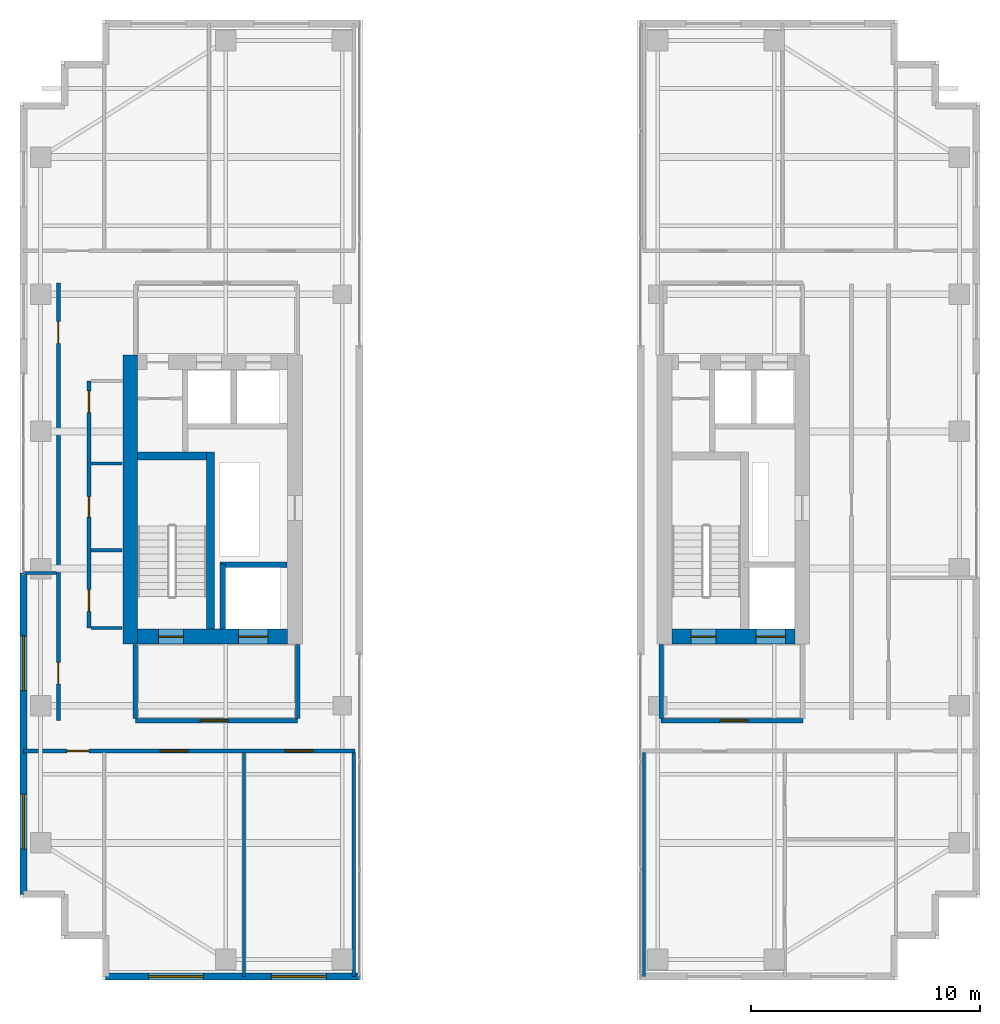
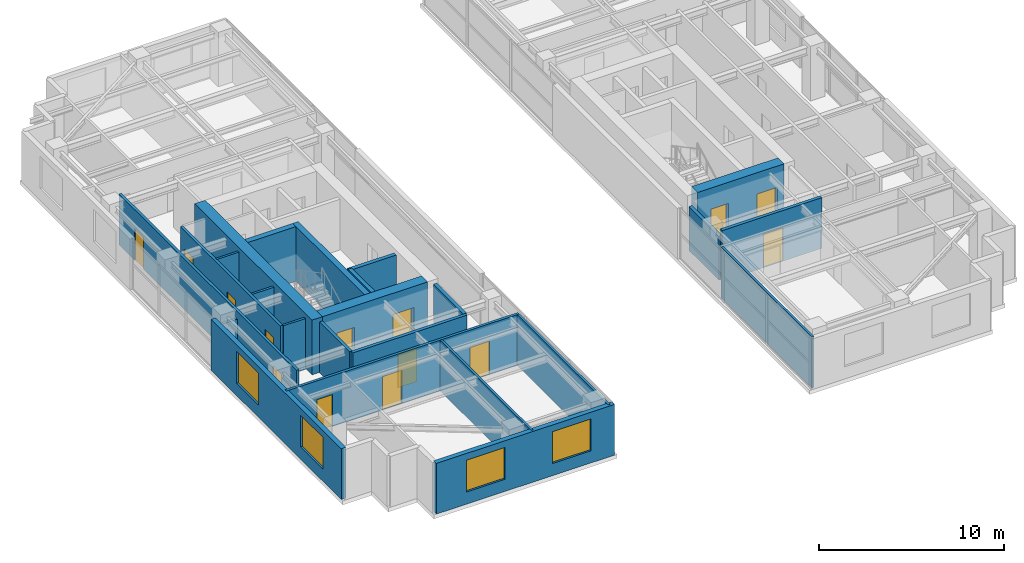
# One storey, part 16 of 21: 24 walls, 14 doors, 4 windows, 18 openings.
"""IFC4 building model written with IfcOpenShell, lengths in metres."""

from ifc_helpers import new_model, si_unit, direction, frame, frame_2d, origin, place, context, subcontext, project, spatial, rectangle, extrude, source, transform, mapped, material, layer, layer_set, type_object, element, fill, save


model = new_model("IFC4")

# Units and contexts
model_context = context("Model", 3, precision=1e-05, world=origin(), true_north=direction((0.0, 1.0)))
body_context = subcontext(model_context, "Body", "Model", "MODEL_VIEW")
ifc_project = project(units=[si_unit("LENGTHUNIT", "METRE"), si_unit("AREAUNIT", "SQUARE_METRE"), si_unit("VOLUMEUNIT", "CUBIC_METRE"), si_unit("PLANEANGLEUNIT", "RADIAN"), si_unit("MASSUNIT", "GRAM", prefix="KILO")], contexts=[model_context])

# Site, building, storey
site_placement = place(None, origin())
site = spatial("IfcSite", under=ifc_project, at=site_placement, CompositionType="ELEMENT")
building_placement = place(site_placement, origin())
building = spatial("IfcBuilding", under=site, at=building_placement, Name="Khoralis Quay Care Tower", CompositionType="ELEMENT")
storey_placement = place(building_placement, frame((0.0, 0.0, 206.10009765625)))
storey = spatial("IfcBuildingStorey", under=building, at=storey_placement, Name="L54", CompositionType="ELEMENT", Elevation=206.10009765625)

# Wall, opening, door
ifc_material_1 = material(Name="Gypsum plasterboard on acoustic metal stud")
ifc_layer_1 = layer(ifc_material_1, 0.199951171875)
ifc_layer_set_1 = layer_set([ifc_layer_1], Name="Gypsum plasterboard on acoustic metal stud")
wall_type_1 = type_object("IfcWallType", Name="WL-COMP-200", PredefinedType="PARTITIONING", material=ifc_layer_set_1)
wall_1_placement = place(storey_placement, frame((8.050048828125, 11.35009765625, 0.0), z_axis=(0.0, 0.0, 1.0), x_axis=(1.0, 0.0, 0.0)))
wall_1 = element("IfcWall", 1, at=wall_1_placement, inside=storey, type_object=wall_type_1, Name="L54 West Firefighting Lobby South Wall", PredefinedType="PARTITIONING", context=body_context, shape_type="SweptSolid", body=[
    extrude(rectangle(XDim=7.099853515625, YDim=0.199951171875, at=frame_2d((3.5498046875, 0.0))), origin(), (0.0, 0.0, 1.0), 3.33984375),
])
opening_1_placement = place(wall_1_placement, frame((2.846435546875, 0.0, 0.0)))
opening_1 = element("IfcOpeningElement", 2, at=opening_1_placement, cuts=wall_1, Name="Opening FD1", PredefinedType="OPENING", context=body_context, shape_type="SweptSolid", body=[
    extrude(rectangle(XDim=1.199951171875, YDim=2.199951171875, at=frame_2d((0.60009765625, 1.10009765625))), frame((0.0, 0.10986328125, 0.0), z_axis=(0.0, -1.0, 0.0), x_axis=(1.0, 0.0, 0.0)), (0.0, 0.0, 1.0), 0.219970703125),
])
ifc_material_2 = material(Name="Fire-rated painted steel", Category="steel")
door_type_1 = type_object("IfcDoorType", Name="DR-FFL-1200X2200", OperationType="NOTDEFINED", PredefinedType="DOOR", material=ifc_material_2)
shared_shape_1 = source(origin(), body_context, "Body", "SweptSolid", [
    extrude(rectangle(XDim=1.199951171875, YDim=2.199951171875, at=frame_2d((0.60009765625, 1.10009765625))), frame((0.0, 0.02490234375, 0.0), z_axis=(0.0, -1.0, 0.0), x_axis=(1.0, 0.0, 0.0)), (0.0, 0.0, 1.0), 0.050048828125),
])
door_1_placement = place(opening_1_placement, origin())
door_1 = element("IfcDoor", 3, at=door_1_placement, inside=storey, type_object=door_type_1, Name="L54 West Firefighting Lobby Fire Door", OperationType="SINGLE_SWING_RIGHT", OverallHeight=2.199951171875, OverallWidth=1.199951171875, PredefinedType="DOOR", context=body_context, shape_type="MappedRepresentation", body=[
    mapped(shared_shape_1, transform((0.0, 0.0, 0.0), scale=1.0)),
])
fill(opening_1, door_1)

# Walls
for number, where, z_axis, x_axis, name in (
    (4, (8.050048828125, 11.445068359375, 0.0), (0.0, 0.0, 1.0), (0.0, 1.0, 0.0), "L54 West Firefighting Lobby West Wall"),
    (5, (15.14990234375, 11.445068359375, 0.0), (0.0, 0.0, 1.0), (0.0, 1.0, 0.0), "L54 West Firefighting Lobby East Wall"),
):
    element("IfcWall", number, at=place(storey_placement, frame(where, z_axis=z_axis, x_axis=x_axis)), inside=storey, type_object=wall_type_1, Name=name, PredefinedType="PARTITIONING", context=body_context, shape_type="SweptSolid", body=[
        extrude(rectangle(XDim=3.23486328125, YDim=0.199951171875, at=frame_2d((1.617431640625, 0.0))), origin(), (0.0, 0.0, 1.0), 3.33984375),
    ])

# Wall, opening, door
wall_2_placement = place(storey_placement, frame((31.050048828125, 11.35009765625, 0.0), z_axis=(0.0, 0.0, 1.0), x_axis=(1.0, 0.0, 0.0)))
wall_2 = element("IfcWall", 6, at=wall_2_placement, inside=storey, type_object=wall_type_1, Name="L54 East Firefighting Lobby South Wall", PredefinedType="PARTITIONING", context=body_context, shape_type="SweptSolid", body=[
    extrude(rectangle(XDim=6.199951171875, YDim=0.199951171875, at=frame_2d((3.10009765625, 0.0))), origin(), (0.0, 0.0, 1.0), 3.33984375),
])
opening_2_placement = place(wall_2_placement, frame((2.585693359375, 0.0, 0.0)))
opening_2 = element("IfcOpeningElement", 7, at=opening_2_placement, cuts=wall_2, Name="Opening FD1", PredefinedType="OPENING", context=body_context, shape_type="SweptSolid", body=[
    extrude(rectangle(XDim=1.199951171875, YDim=2.199951171875, at=frame_2d((0.60009765625, 1.10009765625))), frame((0.0, 0.10986328125, 0.0), z_axis=(0.0, -1.0, 0.0), x_axis=(1.0, 0.0, 0.0)), (0.0, 0.0, 1.0), 0.219970703125),
])
door_2_placement = place(opening_2_placement, origin())
door_2 = element("IfcDoor", 8, at=door_2_placement, inside=storey, type_object=door_type_1, Name="L54 East Firefighting Lobby Fire Door", OperationType="SINGLE_SWING_LEFT", OverallHeight=2.199951171875, OverallWidth=1.199951171875, PredefinedType="DOOR", context=body_context, shape_type="MappedRepresentation", body=[
    mapped(shared_shape_1, transform((0.0, 0.0, 0.0), scale=1.0)),
])
fill(opening_2, door_2)

# Walls
wall_3_placement = place(storey_placement, frame((31.050048828125, 11.445068359375, 0.0), z_axis=(0.0, 0.0, 1.0), x_axis=(0.0, 1.0, 0.0)))
element("IfcWall", 9, at=wall_3_placement, inside=storey, type_object=wall_type_1, Name="L54 East Firefighting Lobby West Wall", PredefinedType="PARTITIONING", context=body_context, shape_type="SweptSolid", body=[
    extrude(rectangle(XDim=3.23486328125, YDim=0.199951171875, at=frame_2d((1.617431640625, 0.0))), origin(), (0.0, 0.0, 1.0), 2.880859375),
])
ifc_material_3 = material(Name="Concrete C65/80", Category="concrete")
ifc_layer_2 = layer(ifc_material_3, 0.64990234375)
ifc_layer_set_2 = layer_set([ifc_layer_2], Name="Concrete C65/80")
wall_type_2 = type_object("IfcWallType", Name="WL-CORE-650", PredefinedType="SHEAR", material=ifc_layer_set_2)
wall_4_placement = place(storey_placement, frame((7.824951171875, 14.699951171875, 0.0), z_axis=(0.0, 0.0, 1.0), x_axis=(0.0, 1.0, 0.0)))
element("IfcWall", 10, at=wall_4_placement, inside=storey, type_object=wall_type_2, Name="L54 WCORE West Shear Wall", PredefinedType="SHEAR", context=body_context, shape_type="SweptSolid", body=[
    extrude(rectangle(XDim=12.650146484375, YDim=0.64990234375, at=frame_2d((6.3251953125, 0.0))), origin(), (0.0, 0.0, 1.0), 3.599853515625),
])

# Wall, openings, doors
wall_5_placement = place(storey_placement, frame((8.14990234375, 15.02490234375, 0.0), z_axis=(0.0, 0.0, 1.0), x_axis=(1.0, 0.0, 0.0)))
wall_5 = element("IfcWall", 11, at=wall_5_placement, inside=storey, type_object=wall_type_2, Name="L54 WCORE South Shear Wall", PredefinedType="SHEAR", context=body_context, shape_type="SweptSolid", body=[
    extrude(rectangle(XDim=6.550048828125, YDim=0.64990234375, at=frame_2d((3.27490234375, 0.0))), origin(), (0.0, 0.0, 1.0), 3.599853515625),
])
opening_3_placement = place(wall_5_placement, frame((0.89990234375, 0.0, 0.0)))
opening_3 = element("IfcOpeningElement", 12, at=opening_3_placement, cuts=wall_5, Name="Opening SD1", PredefinedType="OPENING", context=body_context, shape_type="SweptSolid", body=[
    extrude(rectangle(XDim=1.10009765625, YDim=2.199951171875, at=frame_2d((0.550048828125, 1.10009765625))), frame((0.0, 0.3349609375, 0.0), z_axis=(0.0, -1.0, 0.0), x_axis=(1.0, 0.0, 0.0)), (0.0, 0.0, 1.0), 0.669921875),
])
opening_4_placement = place(wall_5_placement, frame((4.39990234375, 0.0, 0.0)))
opening_4 = element("IfcOpeningElement", 13, at=opening_4_placement, cuts=wall_5, Name="Opening LD2", PredefinedType="OPENING", context=body_context, shape_type="SweptSolid", body=[
    extrude(rectangle(XDim=1.300048828125, YDim=2.199951171875, at=frame_2d((0.64990234375, 1.10009765625))), frame((0.0, 0.3349609375, 0.0), z_axis=(0.0, -1.0, 0.0), x_axis=(1.0, 0.0, 0.0)), (0.0, 0.0, 1.0), 0.669921875),
])
door_type_2 = type_object("IfcDoorType", Name="DR-STAIR-1100X2200", OperationType="NOTDEFINED", PredefinedType="DOOR", material=ifc_material_2)
shared_shape_2 = source(origin(), body_context, "Body", "SweptSolid", [
    extrude(rectangle(XDim=1.10009765625, YDim=2.199951171875, at=frame_2d((0.550048828125, 1.10009765625))), frame((0.0, 0.02490234375, 0.0), z_axis=(0.0, -1.0, 0.0), x_axis=(1.0, 0.0, 0.0)), (0.0, 0.0, 1.0), 0.050048828125),
])
door_3_placement = place(opening_3_placement, origin())
door_3 = element("IfcDoor", 14, at=door_3_placement, inside=storey, type_object=door_type_2, Name="L54 Stair ST-T1 Fire Door", OperationType="SINGLE_SWING_RIGHT", OverallHeight=2.199951171875, OverallWidth=1.10009765625, PredefinedType="DOOR", context=body_context, shape_type="MappedRepresentation", body=[
    mapped(shared_shape_2, transform((0.0, 0.0, 0.0), scale=1.0)),
])
fill(opening_3, door_3)
ifc_material_4 = material(Name="Brushed stainless steel", Category="steel")
door_type_3 = type_object("IfcDoorType", Name="DR-LIFT-1300X2200", OperationType="SLIDING_TO_RIGHT", PredefinedType="DOOR", material=ifc_material_4)
shared_shape_3 = source(origin(), body_context, "Body", "SweptSolid", [
    extrude(rectangle(XDim=1.300048828125, YDim=2.199951171875, at=frame_2d((0.64990234375, 1.10009765625))), frame((0.0, 0.02490234375, 0.0), z_axis=(0.0, -1.0, 0.0), x_axis=(1.0, 0.0, 0.0)), (0.0, 0.0, 1.0), 0.050048828125),
])
door_4_placement = place(opening_4_placement, origin())
door_4 = element("IfcDoor", 15, at=door_4_placement, inside=storey, type_object=door_type_3, Name="L54 Firefighting Lift FFL-1 Landing Door", OperationType="SLIDING_TO_RIGHT", OverallHeight=2.199951171875, OverallWidth=1.300048828125, PredefinedType="DOOR", context=body_context, shape_type="MappedRepresentation", body=[
    mapped(shared_shape_3, transform((0.0, 0.0, 0.0), scale=1.0)),
])
fill(opening_4, door_4)

wall_6_placement = place(storey_placement, frame((31.52001953125, 15.02490234375, 0.0), z_axis=(0.0, 0.0, 1.0), x_axis=(1.0, 0.0, 0.0)))
wall_6 = element("IfcWall", 16, at=wall_6_placement, inside=storey, type_object=wall_type_2, Name="L54 ECORE South Shear Wall", PredefinedType="SHEAR", context=body_context, shape_type="SweptSolid", body=[
    extrude(rectangle(XDim=5.3798828125, YDim=0.64990234375, at=frame_2d((2.68994140625, 0.0))), origin(), (0.0, 0.0, 1.0), 3.599853515625),
])
opening_5_placement = place(wall_6_placement, frame((0.830078125, 0.0, 0.0)))
opening_5 = element("IfcOpeningElement", 17, at=opening_5_placement, cuts=wall_6, Name="Opening SD1", PredefinedType="OPENING", context=body_context, shape_type="SweptSolid", body=[
    extrude(rectangle(XDim=1.10009765625, YDim=2.199951171875, at=frame_2d((0.550048828125, 1.10009765625))), frame((0.0, 0.3349609375, 0.0), z_axis=(0.0, -1.0, 0.0), x_axis=(1.0, 0.0, 0.0)), (0.0, 0.0, 1.0), 0.669921875),
])
opening_6_placement = place(wall_6_placement, frame((3.679931640625, 0.0, 0.0)))
opening_6 = element("IfcOpeningElement", 18, at=opening_6_placement, cuts=wall_6, Name="Opening LD2", PredefinedType="OPENING", context=body_context, shape_type="SweptSolid", body=[
    extrude(rectangle(XDim=1.300048828125, YDim=2.199951171875, at=frame_2d((0.64990234375, 1.10009765625))), frame((0.0, 0.3349609375, 0.0), z_axis=(0.0, -1.0, 0.0), x_axis=(1.0, 0.0, 0.0)), (0.0, 0.0, 1.0), 0.669921875),
])
door_5_placement = place(opening_5_placement, origin())
door_5 = element("IfcDoor", 19, at=door_5_placement, inside=storey, type_object=door_type_2, Name="L54 Stair ST-T2 Fire Door", OperationType="SINGLE_SWING_LEFT", OverallHeight=2.199951171875, OverallWidth=1.10009765625, PredefinedType="DOOR", context=body_context, shape_type="MappedRepresentation", body=[
    mapped(shared_shape_2, transform((0.0, 0.0, 0.0), scale=1.0)),
])
fill(opening_5, door_5)
door_6_placement = place(opening_6_placement, origin())
door_6 = element("IfcDoor", 20, at=door_6_placement, inside=storey, type_object=door_type_3, Name="L54 Firefighting Lift FFL-2 Landing Door", OperationType="SLIDING_TO_RIGHT", OverallHeight=2.199951171875, OverallWidth=1.300048828125, PredefinedType="DOOR", context=body_context, shape_type="MappedRepresentation", body=[
    mapped(shared_shape_3, transform((0.0, 0.0, 0.0), scale=1.0)),
])
fill(opening_6, door_6)

ifc_layer_3 = layer(ifc_material_1, 0.1650390625)
ifc_layer_set_3 = layer_set([ifc_layer_3], Name="Gypsum plasterboard on acoustic metal stud")
wall_type_3 = type_object("IfcWallType", Name="WL-CORR-165", PredefinedType="PARTITIONING", material=ifc_layer_set_3)
wall_7_placement = place(storey_placement, frame((6.02001953125, 15.39990234375, 0.0), z_axis=(0.0, 0.0, 1.0), x_axis=(0.0, 1.0, 0.0)))
wall_7 = element("IfcWall", 21, at=wall_7_placement, inside=storey, type_object=wall_type_3, Name="L54 West Core Service Flank Wall", PredefinedType="PARTITIONING", context=body_context, shape_type="SweptSolid", body=[
    extrude(rectangle(XDim=10.800048828125, YDim=0.1650390625, at=frame_2d((5.39990234375, 0.0))), origin(), (0.0, 0.0, 1.0), 3.33984375),
])
opening_7_placement = place(wall_7_placement, frame((0.72509765625, 0.0, 0.0)))
opening_7 = element("IfcOpeningElement", 22, at=opening_7_placement, cuts=wall_7, Name="Opening ID1", PredefinedType="OPENING", context=body_context, shape_type="SweptSolid", body=[
    extrude(rectangle(XDim=0.949951171875, YDim=2.10009765625, at=frame_2d((0.47509765625, 1.050048828125))), frame((0.0, 0.092529296875, 0.0), z_axis=(0.0, -1.0, 0.0), x_axis=(1.0, 0.0, 0.0)), (0.0, 0.0, 1.0), 0.18505859375),
])
opening_8_placement = place(wall_7_placement, frame((4.85009765625, 0.0, 0.0)))
opening_8 = element("IfcOpeningElement", 23, at=opening_8_placement, cuts=wall_7, Name="Opening WD1", PredefinedType="OPENING", context=body_context, shape_type="SweptSolid", body=[
    extrude(rectangle(XDim=0.89990234375, YDim=2.10009765625, at=frame_2d((0.449951171875, 1.050048828125))), frame((0.0, 0.092529296875, 0.0), z_axis=(0.0, -1.0, 0.0), x_axis=(1.0, 0.0, 0.0)), (0.0, 0.0, 1.0), 0.18505859375),
])
opening_9_placement = place(wall_7_placement, frame((9.425048828125, 0.0, 0.0)))
opening_9 = element("IfcOpeningElement", 24, at=opening_9_placement, cuts=wall_7, Name="Opening ID1", PredefinedType="OPENING", context=body_context, shape_type="SweptSolid", body=[
    extrude(rectangle(XDim=0.949951171875, YDim=2.10009765625, at=frame_2d((0.47509765625, 1.050048828125))), frame((0.0, 0.092529296875, 0.0), z_axis=(0.0, -1.0, 0.0), x_axis=(1.0, 0.0, 0.0)), (0.0, 0.0, 1.0), 0.18505859375),
])
ifc_material_5 = material(Name="Acoustic hardwood timber", Category="wood")
door_type_4 = type_object("IfcDoorType", Name="DR-BATH-900X2100", OperationType="NOTDEFINED", PredefinedType="DOOR", material=ifc_material_5)
shared_shape_4 = source(origin(), body_context, "Body", "SweptSolid", [
    extrude(rectangle(XDim=0.89990234375, YDim=2.10009765625, at=frame_2d((0.449951171875, 1.050048828125))), frame((0.0, 0.02490234375, 0.0), z_axis=(0.0, -1.0, 0.0), x_axis=(1.0, 0.0, 0.0)), (0.0, 0.0, 1.0), 0.050048828125),
])
door_7_placement = place(opening_8_placement, frame((0.89990234375, 0.0, 0.0), z_axis=(0.0, 0.0, 1.0), x_axis=(-1.0, 0.0, 0.0)))
door_7 = element("IfcDoor", 25, at=door_7_placement, inside=storey, type_object=door_type_4, Name="L54 Public Accessible WC Door", OperationType="SINGLE_SWING_RIGHT", OverallHeight=2.10009765625, OverallWidth=0.89990234375, PredefinedType="DOOR", context=body_context, shape_type="MappedRepresentation", body=[
    mapped(shared_shape_4, transform((0.0, 0.0, 0.0), scale=1.0)),
])
fill(opening_8, door_7)
door_type_5 = type_object("IfcDoorType", Name="DR-ROOM-950X2100", OperationType="NOTDEFINED", PredefinedType="DOOR", material=ifc_material_5)
shared_shape_5 = source(origin(), body_context, "Body", "SweptSolid", [
    extrude(rectangle(XDim=0.949951171875, YDim=2.10009765625, at=frame_2d((0.47509765625, 1.050048828125))), frame((0.0, 0.02490234375, 0.0), z_axis=(0.0, -1.0, 0.0), x_axis=(1.0, 0.0, 0.0)), (0.0, 0.0, 1.0), 0.050048828125),
])
door_8_placement = place(opening_7_placement, frame((0.949951171875, 0.0, 0.0), z_axis=(0.0, 0.0, 1.0), x_axis=(-1.0, 0.0, 0.0)))
door_8 = element("IfcDoor", 26, at=door_8_placement, inside=storey, type_object=door_type_5, Name="L54 Clean Utility Store Door", OperationType="SINGLE_SWING_LEFT", OverallHeight=2.10009765625, OverallWidth=0.949951171875, PredefinedType="DOOR", context=body_context, shape_type="MappedRepresentation", body=[
    mapped(shared_shape_5, transform((0.0, 0.0, 0.0), scale=1.0)),
])
fill(opening_7, door_8)
door_9_placement = place(opening_9_placement, frame((0.949951171875, 0.0, 0.0), z_axis=(0.0, 0.0, 1.0), x_axis=(-1.0, 0.0, 0.0)))
door_9 = element("IfcDoor", 27, at=door_9_placement, inside=storey, type_object=door_type_5, Name="L54 Electrical Switchboard Room Door", OperationType="SINGLE_SWING_LEFT", OverallHeight=2.10009765625, OverallWidth=0.949951171875, PredefinedType="DOOR", context=body_context, shape_type="MappedRepresentation", body=[
    mapped(shared_shape_5, transform((0.0, 0.0, 0.0), scale=1.0)),
])
fill(opening_9, door_9)

wall_8_placement = place(storey_placement, frame((3.14501953125, 10.02001953125, 0.0), z_axis=(0.0, 0.0, 1.0), x_axis=(1.0, 0.0, 0.0)))
wall_8 = element("IfcWall", 28, at=wall_8_placement, inside=storey, type_object=wall_type_3, Name="L54 West Wing South Corridor Wall", PredefinedType="PARTITIONING", context=body_context, shape_type="SweptSolid", body=[
    extrude(rectangle(XDim=14.5048828125, YDim=0.1650390625, at=frame_2d((7.25244140625, 0.0))), origin(), (0.0, 0.0, 1.0), 3.33984375),
])
opening_10_placement = place(wall_8_placement, frame((5.9951171875, 0.0, 0.0)))
opening_10 = element("IfcOpeningElement", 29, at=opening_10_placement, cuts=wall_8, Name="Opening FD1", PredefinedType="OPENING", context=body_context, shape_type="SweptSolid", body=[
    extrude(rectangle(XDim=1.199951171875, YDim=2.199951171875, at=frame_2d((0.60009765625, 1.10009765625))), frame((0.0, 0.092529296875, 0.0), z_axis=(0.0, -1.0, 0.0), x_axis=(1.0, 0.0, 0.0)), (0.0, 0.0, 1.0), 0.18505859375),
])
opening_11_placement = place(wall_8_placement, frame((11.455078125, 0.0, 0.0)))
opening_11 = element("IfcOpeningElement", 30, at=opening_11_placement, cuts=wall_8, Name="Opening FD1", PredefinedType="OPENING", context=body_context, shape_type="SweptSolid", body=[
    extrude(rectangle(XDim=1.199951171875, YDim=2.199951171875, at=frame_2d((0.60009765625, 1.10009765625))), frame((0.0, 0.092529296875, 0.0), z_axis=(0.0, -1.0, 0.0), x_axis=(1.0, 0.0, 0.0)), (0.0, 0.0, 1.0), 0.18505859375),
])
opening_12_placement = place(wall_8_placement, frame((1.919921875, 0.0, 0.0)))
opening_12 = element("IfcOpeningElement", 31, at=opening_12_placement, cuts=wall_8, Name="Opening ID1", PredefinedType="OPENING", context=body_context, shape_type="SweptSolid", body=[
    extrude(rectangle(XDim=0.949951171875, YDim=2.10009765625, at=frame_2d((0.47509765625, 1.050048828125))), frame((0.0, 0.092529296875, 0.0), z_axis=(0.0, -1.0, 0.0), x_axis=(1.0, 0.0, 0.0)), (0.0, 0.0, 1.0), 0.18505859375),
])
door_10_placement = place(opening_10_placement, frame((1.199951171875, 0.0, 0.0), z_axis=(0.0, 0.0, 1.0), x_axis=(-1.0, 0.0, 0.0)))
door_10 = element("IfcDoor", 32, at=door_10_placement, inside=storey, type_object=door_type_1, Name="L54 Resident Communal Day Lounge Door", OperationType="DOUBLE_DOOR_SINGLE_SWING", OverallHeight=2.199951171875, OverallWidth=1.199951171875, PredefinedType="DOOR", context=body_context, shape_type="MappedRepresentation", body=[
    mapped(shared_shape_1, transform((0.0, 0.0, 0.0), scale=1.0)),
])
fill(opening_10, door_10)
door_11_placement = place(opening_11_placement, frame((1.199951171875, 0.0, 0.0), z_axis=(0.0, 0.0, 1.0), x_axis=(-1.0, 0.0, 0.0)))
door_11 = element("IfcDoor", 33, at=door_11_placement, inside=storey, type_object=door_type_1, Name="L54 Resident Communal Day Lounge Door", OperationType="DOUBLE_DOOR_SINGLE_SWING", OverallHeight=2.199951171875, OverallWidth=1.199951171875, PredefinedType="DOOR", context=body_context, shape_type="MappedRepresentation", body=[
    mapped(shared_shape_1, transform((0.0, 0.0, 0.0), scale=1.0)),
])
fill(opening_11, door_11)
door_12_placement = place(opening_12_placement, frame((0.949951171875, 0.0, 0.0), z_axis=(0.0, 0.0, 1.0), x_axis=(-1.0, 0.0, 0.0)))
door_12 = element("IfcDoor", 34, at=door_12_placement, inside=storey, type_object=door_type_5, Name="L54 SW Corner Door", OperationType="SINGLE_SWING_LEFT", OverallHeight=2.10009765625, OverallWidth=0.949951171875, PredefinedType="DOOR", context=body_context, shape_type="MappedRepresentation", body=[
    mapped(shared_shape_5, transform((0.0, 0.0, 0.0), scale=1.0)),
])
fill(opening_12, door_12)

wall_9_placement = place(storey_placement, frame((4.679931640625, 11.35009765625, 0.0), z_axis=(0.0, 0.0, 1.0), x_axis=(0.0, 1.0, 0.0)))
wall_9 = element("IfcWall", 35, at=wall_9_placement, inside=storey, type_object=wall_type_3, Name="L54 West Mid South Entry Wall", PredefinedType="PARTITIONING", context=body_context, shape_type="SweptSolid", body=[
    extrude(rectangle(XDim=19.14990234375, YDim=0.1650390625, at=frame_2d((9.574951171875, 0.0))), origin(), (0.0, 0.0, 1.0), 3.33984375),
])
opening_13_placement = place(wall_9_placement, frame((1.60009765625, 0.0, 0.0)))
opening_13 = element("IfcOpeningElement", 36, at=opening_13_placement, cuts=wall_9, Name="Opening ID1", PredefinedType="OPENING", context=body_context, shape_type="SweptSolid", body=[
    extrude(rectangle(XDim=0.949951171875, YDim=2.10009765625, at=frame_2d((0.47509765625, 1.050048828125))), frame((0.0, 0.092529296875, 0.0), z_axis=(0.0, -1.0, 0.0), x_axis=(1.0, 0.0, 0.0)), (0.0, 0.0, 1.0), 0.18505859375),
])
opening_14_placement = place(wall_9_placement, frame((16.5, 0.0, 0.0)))
opening_14 = element("IfcOpeningElement", 37, at=opening_14_placement, cuts=wall_9, Name="Opening ID1", PredefinedType="OPENING", context=body_context, shape_type="SweptSolid", body=[
    extrude(rectangle(XDim=0.949951171875, YDim=2.10009765625, at=frame_2d((0.47509765625, 1.050048828125))), frame((0.0, 0.092529296875, 0.0), z_axis=(0.0, -1.0, 0.0), x_axis=(1.0, 0.0, 0.0)), (0.0, 0.0, 1.0), 0.18505859375),
])
door_13_placement = place(opening_13_placement, frame((0.949951171875, 0.0, 0.0), z_axis=(0.0, 0.0, 1.0), x_axis=(-1.0, 0.0, 0.0)))
door_13 = element("IfcDoor", 38, at=door_13_placement, inside=storey, type_object=door_type_5, Name="L54 West Waterfront Living Suite Door", OperationType="SINGLE_SWING_LEFT", OverallHeight=2.10009765625, OverallWidth=0.949951171875, PredefinedType="DOOR", context=body_context, shape_type="MappedRepresentation", body=[
    mapped(shared_shape_5, transform((0.0, 0.0, 0.0), scale=1.0)),
])
fill(opening_13, door_13)
door_14_placement = place(opening_14_placement, frame((0.949951171875, 0.0, 0.0), z_axis=(0.0, 0.0, 1.0), x_axis=(-1.0, 0.0, 0.0)))
door_14 = element("IfcDoor", 39, at=door_14_placement, inside=storey, type_object=door_type_5, Name="L54 West Resident Day Lounge Door", OperationType="SINGLE_SWING_RIGHT", OverallHeight=2.10009765625, OverallWidth=0.949951171875, PredefinedType="DOOR", context=body_context, shape_type="MappedRepresentation", body=[
    mapped(shared_shape_5, transform((0.0, 0.0, 0.0), scale=1.0)),
])
fill(opening_14, door_14)

# Wall, openings, windows
ifc_material_6 = material(Name="Precast concrete C45/55", Category="concrete")
ifc_layer_4 = layer(ifc_material_6, 0.300048828125)
ifc_layer_set_4 = layer_set([ifc_layer_4], Name="Precast concrete C45/55")
wall_type_4 = type_object("IfcWallType", Name="WL-EXT-REF-300", PredefinedType="SOLIDWALL", material=ifc_layer_set_4)
wall_10_placement = place(storey_placement, frame((6.75, 0.14990234375, 0.0), z_axis=(0.0, 0.0, 1.0), x_axis=(1.0, 0.0, 0.0)))
wall_10 = element("IfcWall", 40, at=wall_10_placement, inside=storey, type_object=wall_type_4, Name="L54 External Facade Wall WL-EXT-L54-P1-E0", PredefinedType="SOLIDWALL", context=body_context, shape_type="SweptSolid", body=[
    extrude(rectangle(XDim=11.10009765625, YDim=0.300048828125, at=frame_2d((5.550048828125, 0.0))), origin(), (0.0, 0.0, 1.0), 3.33984375),
])
opening_15_placement = place(wall_10_placement, frame((1.875, 0.0, 0.800048828125)))
opening_15 = element("IfcOpeningElement", 41, at=opening_15_placement, cuts=wall_10, Name="Opening W1", PredefinedType="OPENING", context=body_context, shape_type="SweptSolid", body=[
    extrude(rectangle(XDim=2.39990234375, YDim=2.10009765625, at=frame_2d((1.199951171875, 1.050048828125))), frame((0.0, 0.16015625, 0.0), z_axis=(0.0, -1.0, 0.0), x_axis=(1.0, 0.0, 0.0)), (0.0, 0.0, 1.0), 0.320068359375),
])
opening_16_placement = place(wall_10_placement, frame((7.25, 0.0, 0.800048828125)))
opening_16 = element("IfcOpeningElement", 42, at=opening_16_placement, cuts=wall_10, Name="Opening W1", PredefinedType="OPENING", context=body_context, shape_type="SweptSolid", body=[
    extrude(rectangle(XDim=2.39990234375, YDim=2.10009765625, at=frame_2d((1.199951171875, 1.050048828125))), frame((0.0, 0.16015625, 0.0), z_axis=(0.0, -1.0, 0.0), x_axis=(1.0, 0.0, 0.0)), (0.0, 0.0, 1.0), 0.320068359375),
])
ifc_material_7 = material(Name="Low-E solar-control double glazing", Category="glass")
window_type = type_object("IfcWindowType", Name="WN-POD-2400X2100", PartitioningType="SINGLE_PANEL", PredefinedType="WINDOW", material=ifc_material_7)
shared_shape_6 = source(origin(), body_context, "Body", "SweptSolid", [
    extrude(rectangle(XDim=2.39990234375, YDim=2.10009765625, at=frame_2d((1.199951171875, 1.050048828125))), frame((0.0, 0.030029296875, 0.0), z_axis=(0.0, -1.0, 0.0), x_axis=(1.0, 0.0, 0.0)), (0.0, 0.0, 1.0), 0.06005859375),
])
window_1_placement = place(opening_15_placement, origin())
window_1 = element("IfcWindow", 43, at=window_1_placement, inside=storey, type_object=window_type, Name="WN-L54-P1-E0 Facade Window 01", OverallHeight=2.10009765625, OverallWidth=2.39990234375, PartitioningType="SINGLE_PANEL", PredefinedType="WINDOW", context=body_context, shape_type="MappedRepresentation", body=[
    mapped(shared_shape_6, transform((0.0, 0.0, 0.0), scale=1.0)),
])
fill(opening_15, window_1)
window_2_placement = place(opening_16_placement, origin())
window_2 = element("IfcWindow", 44, at=window_2_placement, inside=storey, type_object=window_type, Name="WN-L54-P1-E0 Facade Window 02", OverallHeight=2.10009765625, OverallWidth=2.39990234375, PartitioningType="SINGLE_PANEL", PredefinedType="WINDOW", context=body_context, shape_type="MappedRepresentation", body=[
    mapped(shared_shape_6, transform((0.0, 0.0, 0.0), scale=1.0)),
])
fill(opening_16, window_2)

wall_11_placement = place(storey_placement, frame((3.14990234375, 17.800048828125, 0.0), z_axis=(0.0, 0.0, 1.0), x_axis=(0.0, -1.0, 0.0)))
wall_11 = element("IfcWall", 45, at=wall_11_placement, inside=storey, type_object=wall_type_4, Name="L54 External Facade Wall WL-EXT-L54-P1-E7B", PredefinedType="SOLIDWALL", context=body_context, shape_type="SweptSolid", body=[
    extrude(rectangle(XDim=14.050048828125, YDim=0.300048828125, at=frame_2d((7.02490234375, 0.0))), origin(), (0.0, 0.0, 1.0), 3.33984375),
])
opening_17_placement = place(wall_11_placement, frame((2.739990234375, 0.0, 0.800048828125)))
opening_17 = element("IfcOpeningElement", 46, at=opening_17_placement, cuts=wall_11, Name="Opening W1", PredefinedType="OPENING", context=body_context, shape_type="SweptSolid", body=[
    extrude(rectangle(XDim=2.39990234375, YDim=2.10009765625, at=frame_2d((1.199951171875, 1.050048828125))), frame((0.0, 0.16015625, 0.0), z_axis=(0.0, -1.0, 0.0), x_axis=(1.0, 0.0, 0.0)), (0.0, 0.0, 1.0), 0.320068359375),
])
opening_18_placement = place(wall_11_placement, frame((9.6650390625, 0.0, 0.800048828125)))
opening_18 = element("IfcOpeningElement", 47, at=opening_18_placement, cuts=wall_11, Name="Opening W1", PredefinedType="OPENING", context=body_context, shape_type="SweptSolid", body=[
    extrude(rectangle(XDim=2.39990234375, YDim=2.10009765625, at=frame_2d((1.199951171875, 1.050048828125))), frame((0.0, 0.16015625, 0.0), z_axis=(0.0, -1.0, 0.0), x_axis=(1.0, 0.0, 0.0)), (0.0, 0.0, 1.0), 0.320068359375),
])
window_3_placement = place(opening_17_placement, origin())
window_3 = element("IfcWindow", 48, at=window_3_placement, inside=storey, type_object=window_type, Name="WN-L54-P1-E7B Facade Window 01", OverallHeight=2.10009765625, OverallWidth=2.39990234375, PartitioningType="SINGLE_PANEL", PredefinedType="WINDOW", context=body_context, shape_type="MappedRepresentation", body=[
    mapped(shared_shape_6, transform((0.0, 0.0, 0.0), scale=1.0)),
])
fill(opening_17, window_3)
window_4_placement = place(opening_18_placement, origin())
window_4 = element("IfcWindow", 49, at=window_4_placement, inside=storey, type_object=window_type, Name="WN-L54-P1-E7B Facade Window 02", OverallHeight=2.10009765625, OverallWidth=2.39990234375, PartitioningType="SINGLE_PANEL", PredefinedType="WINDOW", context=body_context, shape_type="MappedRepresentation", body=[
    mapped(shared_shape_6, transform((0.0, 0.0, 0.0), scale=1.0)),
])
fill(opening_18, window_4)

# Walls
ifc_material_8 = material(Name="Moisture-resistant gypsum and ceramic tile")
ifc_layer_5 = layer(ifc_material_8, 0.280029296875)
ifc_layer_set_5 = layer_set([ifc_layer_5], Name="Moisture-resistant gypsum and ceramic tile")
wall_type_5 = type_object("IfcWallType", Name="WL-PLUMB-280", PredefinedType="PLUMBINGWALL", material=ifc_layer_set_5)
wall_12_placement = place(storey_placement, frame((6.097412109375, 18.800048828125, 0.0), z_axis=(0.0, 0.0, 1.0), x_axis=(1.0, 0.0, 0.0)))
element("IfcWall", 50, at=wall_12_placement, inside=storey, type_object=wall_type_5, Name="L54 West Flank Divider 1", PredefinedType="PLUMBINGWALL", context=body_context, shape_type="SweptSolid", body=[
    extrude(rectangle(XDim=1.362548828125, YDim=0.139892578125, at=frame_2d((0.68115234375, 0.0))), origin(), (0.0, 0.0, 1.0), 3.33984375),
])
ifc_material_9 = material(Name="Concrete C40/50", Category="concrete")
ifc_layer_6 = layer(ifc_material_9, 0.35009765625)
ifc_layer_set_6 = layer_set([ifc_layer_6], Name="Concrete C40/50")
wall_type_6 = type_object("IfcWallType", Name="WL-SC-CORE-350", PredefinedType="SHEAR", material=ifc_layer_set_6)
wall_13_placement = place(storey_placement, frame((11.324951171875, 15.35009765625, 0.0), z_axis=(0.0, 0.0, 1.0), x_axis=(0.0, 1.0, 0.0)))
element("IfcWall", 51, at=wall_13_placement, inside=storey, type_object=wall_type_6, Name="L54 Stair ST-T1 Shear Baffle Wall East", PredefinedType="SHEAR", context=body_context, shape_type="SweptSolid", body=[
    extrude(rectangle(XDim=7.75, YDim=0.35009765625, at=frame_2d((3.875, 0.0))), origin(), (0.0, 0.0, 1.0), 3.599853515625),
])
wall_14_placement = place(storey_placement, frame((8.14990234375, 22.925048828125, 0.0), z_axis=(0.0, 0.0, 1.0), x_axis=(1.0, 0.0, 0.0)))
element("IfcWall", 52, at=wall_14_placement, inside=storey, type_object=wall_type_6, Name="L54 Stair ST-T1 Shear Baffle Wall North", PredefinedType="SHEAR", context=body_context, shape_type="SweptSolid", body=[
    extrude(rectangle(XDim=3.0, YDim=0.35009765625, at=frame_2d((1.5, 0.0))), origin(), (0.0, 0.0, 1.0), 3.599853515625),
])
ifc_layer_7 = layer(ifc_material_1, 0.239990234375)
ifc_layer_set_7 = layer_set([ifc_layer_7], Name="Gypsum plasterboard on acoustic metal stud")
wall_type_7 = type_object("IfcWallType", Name="WL-SHAFT-240", PredefinedType="PARTITIONING", material=ifc_layer_set_7)
wall_15_placement = place(storey_placement, frame((11.8798828125, 15.35009765625, 0.0), z_axis=(0.0, 0.0, 1.0), x_axis=(0.0, 1.0, 0.0)))
element("IfcWall", 53, at=wall_15_placement, inside=storey, type_object=wall_type_7, Name="L54 FFL-1 Shaft Wall West", PredefinedType="PARTITIONING", context=body_context, shape_type="SweptSolid", body=[
    extrude(rectangle(XDim=2.849853515625, YDim=0.239990234375, at=frame_2d((1.4248046875, 0.0))), origin(), (0.0, 0.0, 1.0), 3.33984375),
])
wall_16_placement = place(storey_placement, frame((11.760009765625, 18.169921875, 0.0), z_axis=(0.0, 0.0, 1.0), x_axis=(1.0, 0.0, 0.0)))
element("IfcWall", 54, at=wall_16_placement, inside=storey, type_object=wall_type_7, Name="L54 FFL-1 Shaft Wall North", PredefinedType="PARTITIONING", context=body_context, shape_type="SweptSolid", body=[
    extrude(rectangle(XDim=2.919921875, YDim=0.239990234375, at=frame_2d((1.4599609375, 0.0))), origin(), (0.0, 0.0, 1.0), 3.33984375),
])
ifc_layer_8 = layer(ifc_material_1, 0.139892578125)
ifc_layer_set_8 = layer_set([ifc_layer_8], Name="Gypsum plasterboard on acoustic metal stud")
wall_type_8 = type_object("IfcWallType", Name="WL-UNIT-140", PredefinedType="PARTITIONING", material=ifc_layer_set_8)
for number, where, z_axis, x_axis, name in (
    (55, (6.097412109375, 15.39990234375, 0.0), (0.0, 0.0, 1.0), (1.0, 0.0, 0.0), "L54 West Flank South Cap"),
    (56, (6.097412109375, 22.60009765625, 0.0), (0.0, 0.0, 1.0), (1.0, 0.0, 0.0), "L54 West Flank Divider 2"),
):
    element("IfcWall", number, at=place(storey_placement, frame(where, z_axis=z_axis, x_axis=x_axis)), inside=storey, type_object=wall_type_8, Name=name, PredefinedType="PARTITIONING", context=body_context, shape_type="SweptSolid", body=[
        extrude(rectangle(XDim=1.362548828125, YDim=0.139892578125, at=frame_2d((0.68115234375, 0.0))), origin(), (0.0, 0.0, 1.0), 3.33984375),
    ])
wall_17_placement = place(storey_placement, frame((3.14501953125, 17.800048828125, 0.0), z_axis=(0.0, 0.0, 1.0), x_axis=(1.0, 0.0, 0.0)))
element("IfcWall", 57, at=wall_17_placement, inside=storey, type_object=wall_type_8, Name="L54 West Mid Split", PredefinedType="PARTITIONING", context=body_context, shape_type="SweptSolid", body=[
    extrude(rectangle(XDim=1.45751953125, YDim=0.139892578125, at=frame_2d((0.728759765625, 0.0))), origin(), (0.0, 0.0, 1.0), 2.83984375),
])
for number, where, z_axis, x_axis, name in (
    (58, (12.800048828125, 0.14501953125, 0.0), (0.0, 0.0, 1.0), (0.0, 1.0, 0.0), "L54 WS Demising Wall 1"),
    (59, (17.60009765625, 0.14501953125, 0.0), (0.0, 0.0, 1.0), (0.0, 1.0, 0.0), "L54 WS Demising Wall 2"),
    (60, (30.300048828125, 0.14501953125, 0.0), (0.0, 0.0, 1.0), (0.0, 1.0, 0.0), "L54 ES Demising Wall 0"),
):
    element("IfcWall", number, at=place(storey_placement, frame(where, z_axis=z_axis, x_axis=x_axis)), inside=storey, type_object=wall_type_8, Name=name, PredefinedType="PARTITIONING", context=body_context, shape_type="SweptSolid", body=[
        extrude(rectangle(XDim=9.79736328125, YDim=0.139892578125, at=frame_2d((4.898681640625, 0.0))), origin(), (0.0, 0.0, 1.0), 3.33984375),
    ])

save(model, "model.ifc")
